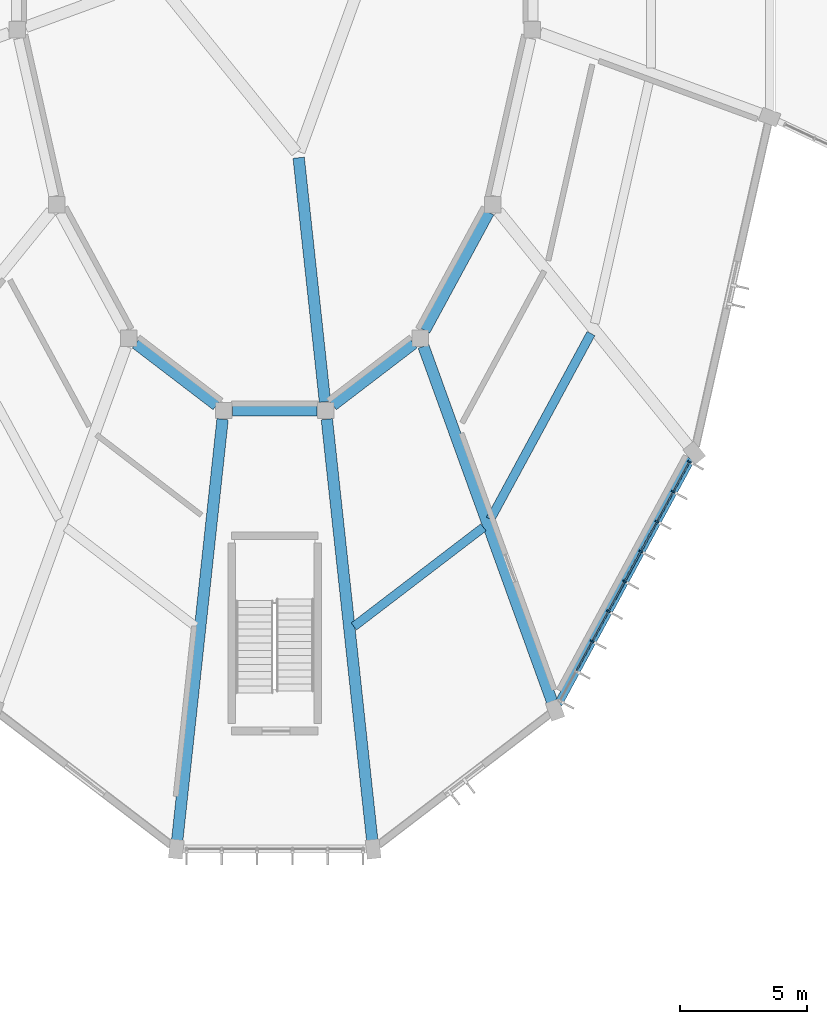
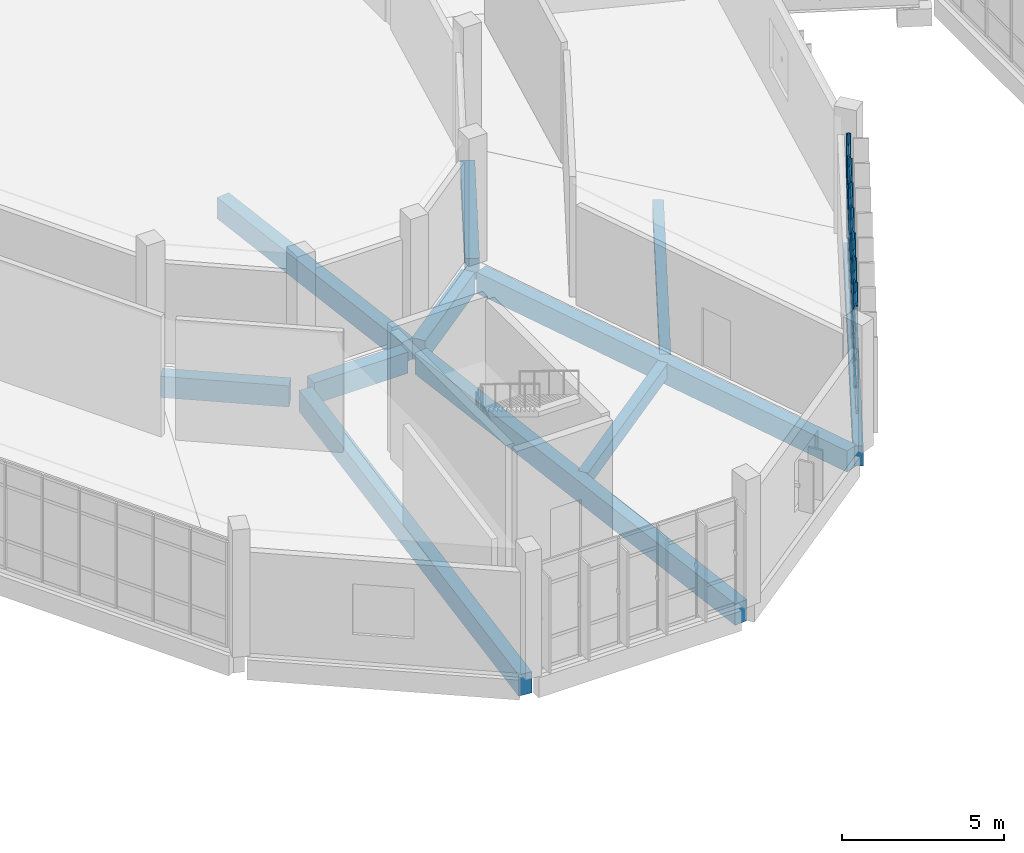
# One storey, part 53 of 179: 35 members, 11 beams, 1 element without a shape of its own.
"""IFC4 building model written with IfcOpenShell, lengths in metres."""

from ifc_helpers import new_model, si_unit, direction, frame, origin, origin_2d, place, context, subcontext, project, spatial, rectangle, extrude, material, layer, layer_set, material_profile, profile_set, type_object, element, aggregate, save


model = new_model("IFC4")

# Units and contexts
model_context = context("Model", 3, precision=1e-05, world=origin(), true_north=direction((0.0, 1.0)))
body_context = subcontext(model_context, "Body", "Model", "MODEL_VIEW")
ifc_project = project(units=[si_unit("LENGTHUNIT", "METRE"), si_unit("AREAUNIT", "SQUARE_METRE"), si_unit("VOLUMEUNIT", "CUBIC_METRE"), si_unit("PLANEANGLEUNIT", "RADIAN"), si_unit("MASSUNIT", "GRAM", prefix="KILO")], contexts=[model_context])

# Site, building, storey
site_placement = place(None, origin())
site = spatial("IfcSite", under=ifc_project, at=site_placement, CompositionType="ELEMENT")
building_placement = place(site_placement, origin())
building = spatial("IfcBuilding", under=site, at=building_placement, Name="Corvandel Quay Wholesale Market", CompositionType="ELEMENT")
storey_placement = place(building_placement, frame((0.0, 0.0, 6.0)))
storey = spatial("IfcBuildingStorey", under=building, at=storey_placement, Name="L01", CompositionType="ELEMENT", Elevation=6.0)

# Beams
ifc_material_1 = material(Name="Precast concrete C45/55", Category="concrete")
ifc_material_profile_1 = material_profile(ifc_material_1, rectangle(XDim=0.449951171875, YDim=0.800048828125, at=origin_2d()), Name="PC-GIR-450x800")
ifc_profile_set_1 = profile_set([ifc_material_profile_1], Name="Precast concrete C45/55")
beam_type_1 = type_object("IfcBeamType", Name="Auction Pavilion Girder G05 450x800", PredefinedType="USERDEFINED", material=ifc_profile_set_1)
beam_1_placement = place(storey_placement, frame((196.47998046875, 41.623046875, -0.639892578125), z_axis=(-0.107108903442, 0.994247294592, 0.0), x_axis=(-0.994247294592, -0.107108903442, 0.0)))
element("IfcBeam", 1, at=beam_1_placement, inside=storey, type_object=beam_type_1, Name="Beam BM-0768", ObjectType="GIRDER", PredefinedType="USERDEFINED", context=body_context, shape_type="SweptSolid", body=[
    extrude(rectangle(XDim=0.449951171875, YDim=0.800048828125, at=origin_2d()), origin(), (0.0, 0.0, 1.0), 9.67138671875),
])
beam_2_placement = place(storey_placement, frame((189.030029296875, 43.92041015625, -0.639892578125), z_axis=(0.79436475942, -0.607441049808, 0.0), x_axis=(0.607441049808, 0.79436475942, 0.0)))
element("IfcBeam", 2, at=beam_2_placement, inside=storey, type_object=beam_type_1, Name="Beam BM-0874", ObjectType="GIRDER", PredefinedType="USERDEFINED", context=body_context, shape_type="SweptSolid", body=[
    extrude(rectangle(XDim=0.449951171875, YDim=0.800048828125, at=origin_2d()), origin(), (0.0, 0.0, 1.0), 4.001953125),
])
beam_3_placement = place(storey_placement, frame((192.827880859375, 41.280029296875, -0.639892578125), z_axis=(1.0, 0.0, 0.0), x_axis=(0.0, 1.0, 0.0)))
element("IfcBeam", 3, at=beam_3_placement, inside=storey, type_object=beam_type_1, Name="Beam BM-0885", ObjectType="GIRDER", PredefinedType="USERDEFINED", context=body_context, shape_type="SweptSolid", body=[
    extrude(rectangle(XDim=0.449951171875, YDim=0.800048828125, at=origin_2d()), origin(), (0.0, 0.0, 1.0), 3.34423828125),
])
beam_4_placement = place(storey_placement, frame((190.64990234375, 24.268310546875, -0.639892578125), z_axis=(0.107135210455, 0.994244460221, 0.0), x_axis=(-0.994244460221, 0.107135210455, 0.0)))
element("IfcBeam", 4, at=beam_4_placement, inside=storey, type_object=beam_type_1, Name="Beam BM-0886", ObjectType="GIRDER", PredefinedType="USERDEFINED", context=body_context, shape_type="SweptSolid", body=[
    extrude(rectangle(XDim=0.449951171875, YDim=0.800048828125, at=origin_2d()), origin(), (0.0, 0.0, 1.0), 16.76513671875),
])
beam_5_placement = place(storey_placement, frame((196.791015625, 41.489501953125, -0.639892578125), z_axis=(0.79436475942, 0.607441049808, 0.0), x_axis=(-0.607441049808, 0.79436475942, 0.0)))
element("IfcBeam", 5, at=beam_5_placement, inside=storey, type_object=beam_type_1, Name="Beam BM-0894", ObjectType="GIRDER", PredefinedType="USERDEFINED", context=body_context, shape_type="SweptSolid", body=[
    extrude(rectangle(XDim=0.449951171875, YDim=0.800048828125, at=origin_2d()), origin(), (0.0, 0.0, 1.0), 4.001953125),
])
beam_6_placement = place(storey_placement, frame((198.35009765625, 24.268310546875, -0.639892578125), z_axis=(-0.107135210455, 0.994244460221, 0.0), x_axis=(-0.994244460221, -0.107135210455, 0.0)))
element("IfcBeam", 6, at=beam_6_placement, inside=storey, type_object=beam_type_1, Name="Beam BM-0895", ObjectType="GIRDER", PredefinedType="USERDEFINED", context=body_context, shape_type="SweptSolid", body=[
    extrude(rectangle(XDim=0.449951171875, YDim=0.800048828125, at=origin_2d()), origin(), (0.0, 0.0, 1.0), 16.76513671875),
])
beam_7_placement = place(storey_placement, frame((200.408203125, 44.433349609375, -0.639892578125), z_axis=(0.476241586834, 0.879314477858, 0.0), x_axis=(-0.879314477858, 0.476241586834, 0.0)))
element("IfcBeam", 7, at=beam_7_placement, inside=storey, type_object=beam_type_1, Name="Beam BM-0905", ObjectType="GIRDER", PredefinedType="USERDEFINED", context=body_context, shape_type="SweptSolid", body=[
    extrude(rectangle(XDim=0.449951171875, YDim=0.800048828125, at=origin_2d()), origin(), (0.0, 0.0, 1.0), 5.298583984375),
])
beam_8_placement = place(storey_placement, frame((205.4541015625, 29.73486328125, -0.639892578125), z_axis=(-0.34033314867, 0.94030492284, 0.0), x_axis=(-0.94030492284, -0.34033314867, 0.0)))
element("IfcBeam", 8, at=beam_8_placement, inside=storey, type_object=beam_type_1, Name="Beam BM-0906", ObjectType="GIRDER", PredefinedType="USERDEFINED", context=body_context, shape_type="SweptSolid", body=[
    extrude(rectangle(XDim=0.449951171875, YDim=0.800048828125, at=origin_2d()), origin(), (0.0, 0.0, 1.0), 14.964111328125),
])

# Curtain wall, members
ifc_material_2 = material(Name="Bronze anodised aluminium and low-E insulated glazing", Category="aluminium")
ifc_layer = layer(ifc_material_2, 0.18603515625)
ifc_layer_set = layer_set([ifc_layer], Name="Bronze anodised aluminium and low-E insulated glazing")
curtain_wall_type = type_object("IfcCurtainWallType", Name="Stick Curtain Wall System CW23 H5070", PredefinedType="NOTDEFINED", material=ifc_layer_set)
curtain_wall_placement = place(storey_placement, origin())
curtain_wall = element("IfcCurtainWall", 9, at=curtain_wall_placement, inside=storey, type_object=curtain_wall_type, Name="Curtain Wall CW-0140", PredefinedType="NOTDEFINED")
ifc_material_3 = material(Name="Anodised aluminium 6063-T6", Category="aluminium")
ifc_material_profile_2 = material_profile(ifc_material_3, rectangle(XDim=0.06494140625, YDim=0.14990234375, at=origin_2d()), Name="ALU-MUL-65x150")
ifc_profile_set_2 = profile_set([ifc_material_profile_2], Name="Anodised aluminium 6063-T6")
member_type_1 = type_object("IfcMemberType", Name="Curtain Wall Mullion ML02 65x150", PredefinedType="MULLION", material=ifc_profile_set_2)
member_1_placement = place(storey_placement, frame((207.012451171875, 32.188720703125, 0.0), z_axis=(0.0, 0.0, 1.0), x_axis=(0.476238203668, 0.879316310191, 0.0)))
member_1 = element("IfcMember", 10, at=member_1_placement, type_object=member_type_1, Name="Mullion CW-0140-M02", PredefinedType="MULLION", context=body_context, shape_type="SweptSolid", body=[
    extrude(rectangle(XDim=0.06494140625, YDim=0.14990234375, at=origin_2d()), origin(), (0.0, 0.0, 1.0), 3.949951171875),
])
member_2_placement = place(storey_placement, frame((207.650390625, 33.36669921875, 0.0), z_axis=(0.0, 0.0, 1.0), x_axis=(0.476238203668, 0.879316310191, 0.0)))
member_2 = element("IfcMember", 11, at=member_2_placement, type_object=member_type_1, Name="Mullion CW-0140-M03", PredefinedType="MULLION", context=body_context, shape_type="SweptSolid", body=[
    extrude(rectangle(XDim=0.06494140625, YDim=0.14990234375, at=origin_2d()), origin(), (0.0, 0.0, 1.0), 3.949951171875),
])
member_3_placement = place(storey_placement, frame((208.28857421875, 34.54443359375, 0.0), z_axis=(0.0, 0.0, 1.0), x_axis=(0.476238203668, 0.879316310191, 0.0)))
member_3 = element("IfcMember", 12, at=member_3_placement, type_object=member_type_1, Name="Mullion CW-0140-M04", PredefinedType="MULLION", context=body_context, shape_type="SweptSolid", body=[
    extrude(rectangle(XDim=0.06494140625, YDim=0.14990234375, at=origin_2d()), origin(), (0.0, 0.0, 1.0), 3.949951171875),
])
member_4_placement = place(storey_placement, frame((208.926513671875, 35.722412109375, 0.0), z_axis=(0.0, 0.0, 1.0), x_axis=(0.476238203668, 0.879316310191, 0.0)))
member_4 = element("IfcMember", 13, at=member_4_placement, type_object=member_type_1, Name="Mullion CW-0140-M05", PredefinedType="MULLION", context=body_context, shape_type="SweptSolid", body=[
    extrude(rectangle(XDim=0.06494140625, YDim=0.14990234375, at=origin_2d()), origin(), (0.0, 0.0, 1.0), 3.949951171875),
])
member_5_placement = place(storey_placement, frame((209.564453125, 36.900390625, 0.0), z_axis=(0.0, 0.0, 1.0), x_axis=(0.476238203668, 0.879316310191, 0.0)))
member_5 = element("IfcMember", 14, at=member_5_placement, type_object=member_type_1, Name="Mullion CW-0140-M06", PredefinedType="MULLION", context=body_context, shape_type="SweptSolid", body=[
    extrude(rectangle(XDim=0.06494140625, YDim=0.14990234375, at=origin_2d()), origin(), (0.0, 0.0, 1.0), 3.949951171875),
])
member_6_placement = place(storey_placement, frame((210.202392578125, 38.078369140625, 0.0), z_axis=(0.0, 0.0, 1.0), x_axis=(0.476238203668, 0.879316310191, 0.0)))
member_6 = element("IfcMember", 15, at=member_6_placement, type_object=member_type_1, Name="Mullion CW-0140-M07", PredefinedType="MULLION", context=body_context, shape_type="SweptSolid", body=[
    extrude(rectangle(XDim=0.06494140625, YDim=0.14990234375, at=origin_2d()), origin(), (0.0, 0.0, 1.0), 3.949951171875),
])
member_7_placement = place(storey_placement, frame((210.840576171875, 39.25634765625, 0.0), z_axis=(0.0, 0.0, 1.0), x_axis=(0.476238203668, 0.879316310191, 0.0)))
member_7 = element("IfcMember", 16, at=member_7_placement, type_object=member_type_1, Name="Mullion CW-0140-M08", PredefinedType="MULLION", context=body_context, shape_type="SweptSolid", body=[
    extrude(rectangle(XDim=0.06494140625, YDim=0.14990234375, at=origin_2d()), origin(), (0.0, 0.0, 1.0), 3.949951171875),
])
ifc_material_profile_3 = material_profile(ifc_material_3, rectangle(XDim=0.06005859375, YDim=0.110107421875, at=origin_2d()), Name="ALU-TRN-60x110")
ifc_profile_set_3 = profile_set([ifc_material_profile_3], Name="Anodised aluminium 6063-T6")
member_type_2 = type_object("IfcMemberType", Name="Curtain Wall Transom TR02 60x110", PredefinedType="USERDEFINED", material=ifc_profile_set_3)
member_8_placement = place(storey_placement, frame((206.389892578125, 31.039306640625, 0.0), z_axis=(0.476394220214, 0.87923179364, 0.0), x_axis=(-0.87923179364, 0.476394220214, 0.0)))
member_8 = element("IfcMember", 17, at=member_8_placement, type_object=member_type_2, Name="Transom CW-0140-T01-0", ObjectType="TRANSOM", PredefinedType="USERDEFINED", context=body_context, shape_type="SweptSolid", body=[
    extrude(rectangle(XDim=0.06005859375, YDim=0.110107421875, at=origin_2d()), origin(), (0.0, 0.0, 1.0), 1.2744140625),
])
member_9_placement = place(storey_placement, frame((206.389892578125, 31.039306640625, 1.050048828125), z_axis=(0.476394220214, 0.87923179364, 0.0), x_axis=(-0.87923179364, 0.476394220214, 0.0)))
member_9 = element("IfcMember", 18, at=member_9_placement, type_object=member_type_2, Name="Transom CW-0140-T01-1", ObjectType="TRANSOM", PredefinedType="USERDEFINED", context=body_context, shape_type="SweptSolid", body=[
    extrude(rectangle(XDim=0.06005859375, YDim=0.110107421875, at=origin_2d()), origin(), (0.0, 0.0, 1.0), 1.2744140625),
])
member_10_placement = place(storey_placement, frame((206.389892578125, 31.039306640625, 3.10009765625), z_axis=(0.476394220214, 0.87923179364, 0.0), x_axis=(-0.87923179364, 0.476394220214, 0.0)))
member_10 = element("IfcMember", 19, at=member_10_placement, type_object=member_type_2, Name="Transom CW-0140-T01-2", ObjectType="TRANSOM", PredefinedType="USERDEFINED", context=body_context, shape_type="SweptSolid", body=[
    extrude(rectangle(XDim=0.06005859375, YDim=0.110107421875, at=origin_2d()), origin(), (0.0, 0.0, 1.0), 1.2744140625),
])
member_11_placement = place(storey_placement, frame((206.389892578125, 31.039306640625, 3.949951171875), z_axis=(0.476394220214, 0.87923179364, 0.0), x_axis=(-0.87923179364, 0.476394220214, 0.0)))
member_11 = element("IfcMember", 20, at=member_11_placement, type_object=member_type_2, Name="Transom CW-0140-T01-3", ObjectType="TRANSOM", PredefinedType="USERDEFINED", context=body_context, shape_type="SweptSolid", body=[
    extrude(rectangle(XDim=0.06005859375, YDim=0.110107421875, at=origin_2d()), origin(), (0.0, 0.0, 1.0), 1.2744140625),
])
member_12_placement = place(storey_placement, frame((207.028076171875, 32.21728515625, 0.0), z_axis=(0.476246119582, 0.879312022881, 0.0), x_axis=(-0.879312022881, 0.476246119582, 0.0)))
member_12 = element("IfcMember", 21, at=member_12_placement, type_object=member_type_2, Name="Transom CW-0140-T02-0", ObjectType="TRANSOM", PredefinedType="USERDEFINED", context=body_context, shape_type="SweptSolid", body=[
    extrude(rectangle(XDim=0.06005859375, YDim=0.110107421875, at=origin_2d()), origin(), (0.0, 0.0, 1.0), 1.2744140625),
])
member_13_placement = place(storey_placement, frame((207.028076171875, 32.21728515625, 1.050048828125), z_axis=(0.476246119582, 0.879312022881, 0.0), x_axis=(-0.879312022881, 0.476246119582, 0.0)))
member_13 = element("IfcMember", 22, at=member_13_placement, type_object=member_type_2, Name="Transom CW-0140-T02-1", ObjectType="TRANSOM", PredefinedType="USERDEFINED", context=body_context, shape_type="SweptSolid", body=[
    extrude(rectangle(XDim=0.06005859375, YDim=0.110107421875, at=origin_2d()), origin(), (0.0, 0.0, 1.0), 1.2744140625),
])
member_14_placement = place(storey_placement, frame((207.028076171875, 32.21728515625, 3.10009765625), z_axis=(0.476246119582, 0.879312022881, 0.0), x_axis=(-0.879312022881, 0.476246119582, 0.0)))
member_14 = element("IfcMember", 23, at=member_14_placement, type_object=member_type_2, Name="Transom CW-0140-T02-2", ObjectType="TRANSOM", PredefinedType="USERDEFINED", context=body_context, shape_type="SweptSolid", body=[
    extrude(rectangle(XDim=0.06005859375, YDim=0.110107421875, at=origin_2d()), origin(), (0.0, 0.0, 1.0), 1.2744140625),
])
member_15_placement = place(storey_placement, frame((207.028076171875, 32.21728515625, 3.949951171875), z_axis=(0.476246119582, 0.879312022881, 0.0), x_axis=(-0.879312022881, 0.476246119582, 0.0)))
member_15 = element("IfcMember", 24, at=member_15_placement, type_object=member_type_2, Name="Transom CW-0140-T02-3", ObjectType="TRANSOM", PredefinedType="USERDEFINED", context=body_context, shape_type="SweptSolid", body=[
    extrude(rectangle(XDim=0.06005859375, YDim=0.110107421875, at=origin_2d()), origin(), (0.0, 0.0, 1.0), 1.2744140625),
])
member_16_placement = place(storey_placement, frame((207.666015625, 33.39501953125, 0.0), z_axis=(0.476165907025, 0.879355462249, 0.0), x_axis=(-0.879355462249, 0.476165907025, 0.0)))
member_16 = element("IfcMember", 25, at=member_16_placement, type_object=member_type_2, Name="Transom CW-0140-T03-0", ObjectType="TRANSOM", PredefinedType="USERDEFINED", context=body_context, shape_type="SweptSolid", body=[
    extrude(rectangle(XDim=0.06005859375, YDim=0.110107421875, at=origin_2d()), origin(), (0.0, 0.0, 1.0), 1.274658203125),
])
member_17_placement = place(storey_placement, frame((207.666015625, 33.39501953125, 1.050048828125), z_axis=(0.476165907025, 0.879355462249, 0.0), x_axis=(-0.879355462249, 0.476165907025, 0.0)))
member_17 = element("IfcMember", 26, at=member_17_placement, type_object=member_type_2, Name="Transom CW-0140-T03-1", ObjectType="TRANSOM", PredefinedType="USERDEFINED", context=body_context, shape_type="SweptSolid", body=[
    extrude(rectangle(XDim=0.06005859375, YDim=0.110107421875, at=origin_2d()), origin(), (0.0, 0.0, 1.0), 1.274658203125),
])
member_18_placement = place(storey_placement, frame((207.666015625, 33.39501953125, 3.10009765625), z_axis=(0.476165907025, 0.879355462249, 0.0), x_axis=(-0.879355462249, 0.476165907025, 0.0)))
member_18 = element("IfcMember", 27, at=member_18_placement, type_object=member_type_2, Name="Transom CW-0140-T03-2", ObjectType="TRANSOM", PredefinedType="USERDEFINED", context=body_context, shape_type="SweptSolid", body=[
    extrude(rectangle(XDim=0.06005859375, YDim=0.110107421875, at=origin_2d()), origin(), (0.0, 0.0, 1.0), 1.274658203125),
])
member_19_placement = place(storey_placement, frame((207.666015625, 33.39501953125, 3.949951171875), z_axis=(0.476165907025, 0.879355462249, 0.0), x_axis=(-0.879355462249, 0.476165907025, 0.0)))
member_19 = element("IfcMember", 28, at=member_19_placement, type_object=member_type_2, Name="Transom CW-0140-T03-3", ObjectType="TRANSOM", PredefinedType="USERDEFINED", context=body_context, shape_type="SweptSolid", body=[
    extrude(rectangle(XDim=0.06005859375, YDim=0.110107421875, at=origin_2d()), origin(), (0.0, 0.0, 1.0), 1.274658203125),
])
member_20_placement = place(storey_placement, frame((208.303955078125, 34.572998046875, 0.0), z_axis=(0.476165907025, 0.879355462249, 0.0), x_axis=(-0.879355462249, 0.476165907025, 0.0)))
member_20 = element("IfcMember", 29, at=member_20_placement, type_object=member_type_2, Name="Transom CW-0140-T04-0", ObjectType="TRANSOM", PredefinedType="USERDEFINED", context=body_context, shape_type="SweptSolid", body=[
    extrude(rectangle(XDim=0.06005859375, YDim=0.110107421875, at=origin_2d()), origin(), (0.0, 0.0, 1.0), 1.274658203125),
])
member_21_placement = place(storey_placement, frame((208.303955078125, 34.572998046875, 1.050048828125), z_axis=(0.476165907025, 0.879355462249, 0.0), x_axis=(-0.879355462249, 0.476165907025, 0.0)))
member_21 = element("IfcMember", 30, at=member_21_placement, type_object=member_type_2, Name="Transom CW-0140-T04-1", ObjectType="TRANSOM", PredefinedType="USERDEFINED", context=body_context, shape_type="SweptSolid", body=[
    extrude(rectangle(XDim=0.06005859375, YDim=0.110107421875, at=origin_2d()), origin(), (0.0, 0.0, 1.0), 1.274658203125),
])
member_22_placement = place(storey_placement, frame((208.303955078125, 34.572998046875, 3.10009765625), z_axis=(0.476165907025, 0.879355462249, 0.0), x_axis=(-0.879355462249, 0.476165907025, 0.0)))
member_22 = element("IfcMember", 31, at=member_22_placement, type_object=member_type_2, Name="Transom CW-0140-T04-2", ObjectType="TRANSOM", PredefinedType="USERDEFINED", context=body_context, shape_type="SweptSolid", body=[
    extrude(rectangle(XDim=0.06005859375, YDim=0.110107421875, at=origin_2d()), origin(), (0.0, 0.0, 1.0), 1.274658203125),
])
member_23_placement = place(storey_placement, frame((208.303955078125, 34.572998046875, 3.949951171875), z_axis=(0.476165907025, 0.879355462249, 0.0), x_axis=(-0.879355462249, 0.476165907025, 0.0)))
member_23 = element("IfcMember", 32, at=member_23_placement, type_object=member_type_2, Name="Transom CW-0140-T04-3", ObjectType="TRANSOM", PredefinedType="USERDEFINED", context=body_context, shape_type="SweptSolid", body=[
    extrude(rectangle(XDim=0.06005859375, YDim=0.110107421875, at=origin_2d()), origin(), (0.0, 0.0, 1.0), 1.274658203125),
])
member_24_placement = place(storey_placement, frame((208.94189453125, 35.7509765625, 0.0), z_axis=(0.47631399735, 0.879275256065, 0.0), x_axis=(-0.879275256065, 0.47631399735, 0.0)))
member_24 = element("IfcMember", 33, at=member_24_placement, type_object=member_type_2, Name="Transom CW-0140-T05-0", ObjectType="TRANSOM", PredefinedType="USERDEFINED", context=body_context, shape_type="SweptSolid", body=[
    extrude(rectangle(XDim=0.06005859375, YDim=0.110107421875, at=origin_2d()), origin(), (0.0, 0.0, 1.0), 1.274658203125),
])
member_25_placement = place(storey_placement, frame((208.94189453125, 35.7509765625, 1.050048828125), z_axis=(0.47631399735, 0.879275256065, 0.0), x_axis=(-0.879275256065, 0.47631399735, 0.0)))
member_25 = element("IfcMember", 34, at=member_25_placement, type_object=member_type_2, Name="Transom CW-0140-T05-1", ObjectType="TRANSOM", PredefinedType="USERDEFINED", context=body_context, shape_type="SweptSolid", body=[
    extrude(rectangle(XDim=0.06005859375, YDim=0.110107421875, at=origin_2d()), origin(), (0.0, 0.0, 1.0), 1.274658203125),
])
member_26_placement = place(storey_placement, frame((208.94189453125, 35.7509765625, 3.10009765625), z_axis=(0.47631399735, 0.879275256065, 0.0), x_axis=(-0.879275256065, 0.47631399735, 0.0)))
member_26 = element("IfcMember", 35, at=member_26_placement, type_object=member_type_2, Name="Transom CW-0140-T05-2", ObjectType="TRANSOM", PredefinedType="USERDEFINED", context=body_context, shape_type="SweptSolid", body=[
    extrude(rectangle(XDim=0.06005859375, YDim=0.110107421875, at=origin_2d()), origin(), (0.0, 0.0, 1.0), 1.274658203125),
])
member_27_placement = place(storey_placement, frame((208.94189453125, 35.7509765625, 3.949951171875), z_axis=(0.47631399735, 0.879275256065, 0.0), x_axis=(-0.879275256065, 0.47631399735, 0.0)))
member_27 = element("IfcMember", 36, at=member_27_placement, type_object=member_type_2, Name="Transom CW-0140-T05-3", ObjectType="TRANSOM", PredefinedType="USERDEFINED", context=body_context, shape_type="SweptSolid", body=[
    extrude(rectangle(XDim=0.06005859375, YDim=0.110107421875, at=origin_2d()), origin(), (0.0, 0.0, 1.0), 1.274658203125),
])
member_28_placement = place(storey_placement, frame((209.580078125, 36.928955078125, 0.0), z_axis=(0.476165907025, 0.879355462249, 0.0), x_axis=(-0.879355462249, 0.476165907025, 0.0)))
member_28 = element("IfcMember", 37, at=member_28_placement, type_object=member_type_2, Name="Transom CW-0140-T06-0", ObjectType="TRANSOM", PredefinedType="USERDEFINED", context=body_context, shape_type="SweptSolid", body=[
    extrude(rectangle(XDim=0.06005859375, YDim=0.110107421875, at=origin_2d()), origin(), (0.0, 0.0, 1.0), 1.274658203125),
])
member_29_placement = place(storey_placement, frame((209.580078125, 36.928955078125, 1.050048828125), z_axis=(0.476165907025, 0.879355462249, 0.0), x_axis=(-0.879355462249, 0.476165907025, 0.0)))
member_29 = element("IfcMember", 38, at=member_29_placement, type_object=member_type_2, Name="Transom CW-0140-T06-1", ObjectType="TRANSOM", PredefinedType="USERDEFINED", context=body_context, shape_type="SweptSolid", body=[
    extrude(rectangle(XDim=0.06005859375, YDim=0.110107421875, at=origin_2d()), origin(), (0.0, 0.0, 1.0), 1.274658203125),
])
member_30_placement = place(storey_placement, frame((209.580078125, 36.928955078125, 3.10009765625), z_axis=(0.476165907025, 0.879355462249, 0.0), x_axis=(-0.879355462249, 0.476165907025, 0.0)))
member_30 = element("IfcMember", 39, at=member_30_placement, type_object=member_type_2, Name="Transom CW-0140-T06-2", ObjectType="TRANSOM", PredefinedType="USERDEFINED", context=body_context, shape_type="SweptSolid", body=[
    extrude(rectangle(XDim=0.06005859375, YDim=0.110107421875, at=origin_2d()), origin(), (0.0, 0.0, 1.0), 1.274658203125),
])
member_31_placement = place(storey_placement, frame((209.580078125, 36.928955078125, 3.949951171875), z_axis=(0.476165907025, 0.879355462249, 0.0), x_axis=(-0.879355462249, 0.476165907025, 0.0)))
member_31 = element("IfcMember", 40, at=member_31_placement, type_object=member_type_2, Name="Transom CW-0140-T06-3", ObjectType="TRANSOM", PredefinedType="USERDEFINED", context=body_context, shape_type="SweptSolid", body=[
    extrude(rectangle(XDim=0.06005859375, YDim=0.110107421875, at=origin_2d()), origin(), (0.0, 0.0, 1.0), 1.274658203125),
])
member_32_placement = place(storey_placement, frame((210.218017578125, 38.10693359375, 0.0), z_axis=(0.476165907025, 0.879355462249, 0.0), x_axis=(-0.879355462249, 0.476165907025, 0.0)))
member_32 = element("IfcMember", 41, at=member_32_placement, type_object=member_type_2, Name="Transom CW-0140-T07-0", ObjectType="TRANSOM", PredefinedType="USERDEFINED", context=body_context, shape_type="SweptSolid", body=[
    extrude(rectangle(XDim=0.06005859375, YDim=0.110107421875, at=origin_2d()), origin(), (0.0, 0.0, 1.0), 1.274658203125),
])
member_33_placement = place(storey_placement, frame((210.218017578125, 38.10693359375, 1.050048828125), z_axis=(0.476165907025, 0.879355462249, 0.0), x_axis=(-0.879355462249, 0.476165907025, 0.0)))
member_33 = element("IfcMember", 42, at=member_33_placement, type_object=member_type_2, Name="Transom CW-0140-T07-1", ObjectType="TRANSOM", PredefinedType="USERDEFINED", context=body_context, shape_type="SweptSolid", body=[
    extrude(rectangle(XDim=0.06005859375, YDim=0.110107421875, at=origin_2d()), origin(), (0.0, 0.0, 1.0), 1.274658203125),
])
member_34_placement = place(storey_placement, frame((210.218017578125, 38.10693359375, 3.10009765625), z_axis=(0.476165907025, 0.879355462249, 0.0), x_axis=(-0.879355462249, 0.476165907025, 0.0)))
member_34 = element("IfcMember", 43, at=member_34_placement, type_object=member_type_2, Name="Transom CW-0140-T07-2", ObjectType="TRANSOM", PredefinedType="USERDEFINED", context=body_context, shape_type="SweptSolid", body=[
    extrude(rectangle(XDim=0.06005859375, YDim=0.110107421875, at=origin_2d()), origin(), (0.0, 0.0, 1.0), 1.274658203125),
])
member_35_placement = place(storey_placement, frame((210.218017578125, 38.10693359375, 3.949951171875), z_axis=(0.476165907025, 0.879355462249, 0.0), x_axis=(-0.879355462249, 0.476165907025, 0.0)))
member_35 = element("IfcMember", 44, at=member_35_placement, type_object=member_type_2, Name="Transom CW-0140-T07-3", ObjectType="TRANSOM", PredefinedType="USERDEFINED", context=body_context, shape_type="SweptSolid", body=[
    extrude(rectangle(XDim=0.06005859375, YDim=0.110107421875, at=origin_2d()), origin(), (0.0, 0.0, 1.0), 1.274658203125),
])
aggregate(curtain_wall, [member_1, member_2, member_3, member_4, member_5, member_6, member_7, member_8, member_9, member_10, member_11, member_12, member_13, member_14, member_15, member_16, member_17, member_18, member_19, member_20, member_21, member_22, member_23, member_24, member_25, member_26, member_27, member_28, member_29, member_30, member_31, member_32, member_33, member_34, member_35])

# Beams
ifc_material_profile_4 = material_profile(ifc_material_1, rectangle(XDim=0.320068359375, YDim=0.75, at=origin_2d()), Name="PC-SPN-320x750")
ifc_profile_set_4 = profile_set([ifc_material_profile_4], Name="Precast concrete C45/55")
beam_type_2 = type_object("IfcBeamType", Name="Pavilion Precast Spandrel SP02 320x750", PredefinedType="SPANDREL", material=ifc_profile_set_4)
beam_9_placement = place(storey_placement, frame((205.674560546875, 29.718505859375, -0.614990234375), z_axis=(0.476252338863, 0.879308654414, 0.0), x_axis=(-0.879308654414, 0.476252338863, 0.0)))
element("IfcBeam", 45, at=beam_9_placement, inside=storey, type_object=beam_type_2, Name="Beam BM-0904", PredefinedType="SPANDREL", context=body_context, shape_type="SweptSolid", body=[
    extrude(rectangle(XDim=0.320068359375, YDim=0.75, at=origin_2d()), origin(), (0.0, 0.0, 1.0), 10.976806640625),
])
ifc_material_profile_5 = material_profile(ifc_material_1, rectangle(XDim=0.35009765625, YDim=0.550048828125, at=origin_2d()), Name="PC-BM-350x550")
ifc_profile_set_5 = profile_set([ifc_material_profile_5], Name="Precast concrete C45/55")
beam_type_3 = type_object("IfcBeamType", Name="Standard Floor Secondary Beam B03 350x550", PredefinedType="BEAM", material=ifc_profile_set_5)
beam_10_placement = place(storey_placement, frame((197.618896484375, 32.7705078125, -0.514892578125), z_axis=(0.794335189832, 0.607479716694, 0.0), x_axis=(-0.607479716694, 0.794335189832, 0.0)))
element("IfcBeam", 46, at=beam_10_placement, inside=storey, type_object=beam_type_3, Name="Beam BM-0896", PredefinedType="BEAM", context=body_context, shape_type="SweptSolid", body=[
    extrude(rectangle(XDim=0.35009765625, YDim=0.550048828125, at=origin_2d()), origin(), (0.0, 0.0, 1.0), 6.427001953125),
])
beam_11_placement = place(storey_placement, frame((202.997314453125, 36.99462890625, -0.514892578125), z_axis=(0.476260468975, 0.879304250923, 0.0), x_axis=(-0.879304250923, 0.476260468975, 0.0)))
element("IfcBeam", 47, at=beam_11_placement, inside=storey, type_object=beam_type_3, Name="Beam BM-0907", PredefinedType="BEAM", context=body_context, shape_type="SweptSolid", body=[
    extrude(rectangle(XDim=0.35009765625, YDim=0.550048828125, at=origin_2d()), origin(), (0.0, 0.0, 1.0), 8.322998046875),
])

save(model, "model.ifc")
